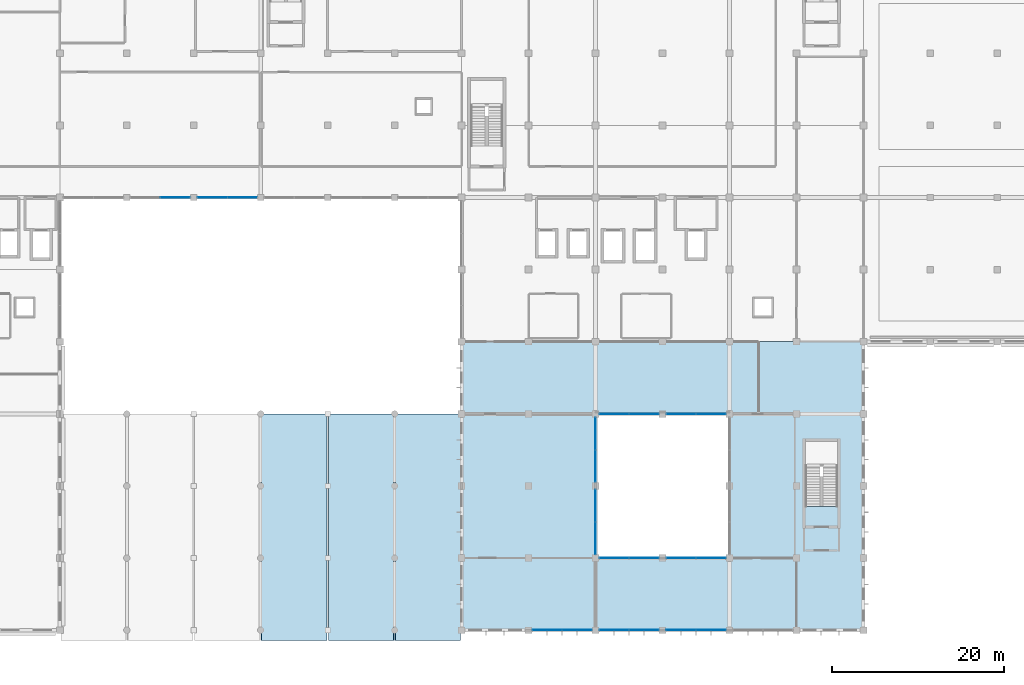
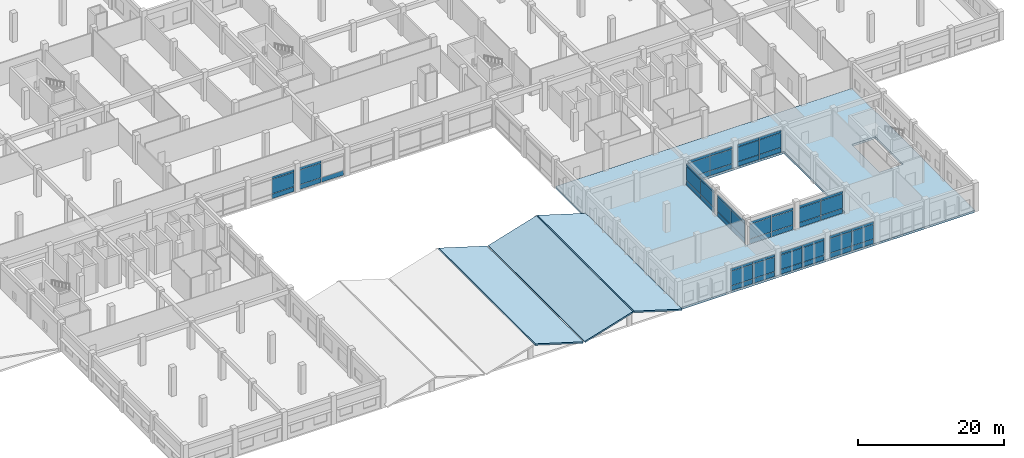
# One storey, part 36 of 62: 61 plates, 4 slabs, 11 elements without a shape of their own.
"""IFC4 building model written with IfcOpenShell, lengths in metres."""

from ifc_helpers import new_model, si_unit, direction, frame, origin, origin_2d, place, context, subcontext, project, spatial, polyline, rectangle, outline, extrude, material, layer, layer_set, type_object, element, aggregate, save


model = new_model("IFC4")

# Units and contexts
model_context = context("Model", 3, precision=1e-05, world=origin(), true_north=direction((0.0, 1.0)))
body_context = subcontext(model_context, "Body", "Model", "MODEL_VIEW")
ifc_project = project(units=[si_unit("LENGTHUNIT", "METRE"), si_unit("AREAUNIT", "SQUARE_METRE"), si_unit("VOLUMEUNIT", "CUBIC_METRE"), si_unit("PLANEANGLEUNIT", "RADIAN"), si_unit("MASSUNIT", "GRAM", prefix="KILO"), si_unit("THERMODYNAMICTEMPERATUREUNIT", "KELVIN"), si_unit("POWERUNIT", "WATT")], contexts=[model_context])

# Site, building, storey
site_placement = place(None, origin())
site = spatial("IfcSite", under=ifc_project, at=site_placement, CompositionType="ELEMENT")
building_placement = place(site_placement, origin())
building = spatial("IfcBuilding", under=site, at=building_placement, Name="Srebrne Nadtorze General Hospital", CompositionType="ELEMENT")
storey_placement = place(building_placement, frame((0.0, 0.0, 9.60009765625)))
storey = spatial("IfcBuildingStorey", under=building, at=storey_placement, Name="L02", CompositionType="ELEMENT", Elevation=9.60009765625)

# Slabs
ifc_material_1 = material(Name="Concrete C40/50", Category="concrete")
ifc_layer_1 = layer(ifc_material_1, 0.239990234375)
ifc_layer_set_1 = layer_set([ifc_layer_1], Name="Concrete C40/50")
slab_type_1 = type_object("IfcSlabType", Name="Folded plate roof slab 240", PredefinedType="ROOF", material=ifc_layer_set_1)
slab_1_placement = place(storey_placement, frame((78.110107421875, -1.199951171875, 2.96630859375), z_axis=(0.291835782192, 0.0, 0.956468439747), x_axis=(0.956468439747, 0.0, -0.291835782192)))
element("IfcSlab", 1, at=slab_1_placement, inside=storey, type_object=slab_type_1, Name="Folded plate roof slab 04", PredefinedType="ROOF", context=body_context, shape_type="SweptSolid", body=[
    extrude(outline(polyline([(0.0, 0.0), (7.924813479866985, 0.0), (7.924813479866985, 26.39990234375), (0.0, 26.39990234375), (0.0, 0.0)])), origin(), (0.0, 0.0, -1.0), 0.239990234375),
])
for number, where, z_axis, x_axis, name in (
    (2, (85.909912109375, -1.199951171875, 0.653564453125), (-0.291827183192, 0.0, 0.956471063415), (0.956471063415, 0.0, 0.291827183192), "Folded plate roof slab 05"),
    (3, (93.7099609375, -1.199951171875, 2.96630859375), (0.291827183192, 0.0, 0.956471063415), (0.956471063415, 0.0, -0.291827183192), "Folded plate roof slab 06"),
):
    element("IfcSlab", number, at=place(storey_placement, frame(where, z_axis=z_axis, x_axis=x_axis)), inside=storey, type_object=slab_type_1, Name=name, PredefinedType="ROOF", context=body_context, shape_type="SweptSolid", body=[
        extrude(outline(polyline([(0.0, 0.0), (7.925046992989934, 0.0), (7.925046992989934, 26.39990234375), (0.0, 26.39990234375), (0.0, 0.0)])), origin(), (0.0, 0.0, -1.0), 0.239990234375),
    ])

# Curtain wall, plates
ifc_material_2 = material(Name="Anodised Aluminium", Category="aluminium")
curtain_wall_type_1 = type_object("IfcCurtainWallType", Name="Unitised curtain wall 7000x3800", PredefinedType="NOTDEFINED", material=ifc_material_2)
curtain_wall_1_placement = place(storey_placement, origin())
curtain_wall_1 = element("IfcCurtainWall", 4, at=curtain_wall_1_placement, inside=storey, type_object=curtain_wall_type_1, Name="Curtain wall CW-068", PredefinedType="NOTDEFINED")
ifc_material_3 = material(Name="Triple Low-E Glazing", Category="glass")
ifc_layer_2 = layer(ifc_material_3, 0.050048828125)
ifc_layer_set_2 = layer_set([ifc_layer_2], Name="Triple Low-E Glazing")
plate_type = type_object("IfcPlateType", Name="Glazed curtain panel 50", PredefinedType="CURTAIN_PANEL", material=ifc_layer_set_2)
plate_1_placement = place(storey_placement, frame((111.364990234375, 0.0, 0.06005859375), z_axis=(0.0, 0.0, 1.0), x_axis=(1.0, 0.0, 0.0)))
plate_1 = element("IfcPlate", 5, at=plate_1_placement, type_object=plate_type, Name="CW-068 panel 1.1", PredefinedType="CURTAIN_PANEL", context=body_context, shape_type="SweptSolid", body=[
    extrude(rectangle(XDim=3.409912109375, YDim=0.050048828125, at=origin_2d()), origin(), (0.0, 0.0, 1.0), 0.760009765625),
])
plate_2_placement = place(storey_placement, frame((111.364990234375, 0.0, 0.8798828125), z_axis=(0.0, 0.0, 1.0), x_axis=(1.0, 0.0, 0.0)))
plate_2 = element("IfcPlate", 6, at=plate_2_placement, type_object=plate_type, Name="CW-068 panel 1.2", PredefinedType="CURTAIN_PANEL", context=body_context, shape_type="SweptSolid", body=[
    extrude(rectangle(XDim=3.409912109375, YDim=0.050048828125, at=origin_2d()), origin(), (0.0, 0.0, 1.0), 2.389892578125),
])
plate_3_placement = place(storey_placement, frame((111.364990234375, 0.0, 3.330078125), z_axis=(0.0, 0.0, 1.0), x_axis=(1.0, 0.0, 0.0)))
plate_3 = element("IfcPlate", 7, at=plate_3_placement, type_object=plate_type, Name="CW-068 panel 1.3", PredefinedType="CURTAIN_PANEL", context=body_context, shape_type="SweptSolid", body=[
    extrude(rectangle(XDim=3.409912109375, YDim=0.050048828125, at=origin_2d()), origin(), (0.0, 0.0, 1.0), 0.409912109375),
])
plate_4_placement = place(storey_placement, frame((114.8349609375, 0.0, 0.06005859375), z_axis=(0.0, 0.0, 1.0), x_axis=(1.0, 0.0, 0.0)))
plate_4 = element("IfcPlate", 8, at=plate_4_placement, type_object=plate_type, Name="CW-068 panel 2.1", PredefinedType="CURTAIN_PANEL", context=body_context, shape_type="SweptSolid", body=[
    extrude(rectangle(XDim=3.409912109375, YDim=0.050048828125, at=origin_2d()), origin(), (0.0, 0.0, 1.0), 0.760009765625),
])
plate_5_placement = place(storey_placement, frame((114.8349609375, 0.0, 0.8798828125), z_axis=(0.0, 0.0, 1.0), x_axis=(1.0, 0.0, 0.0)))
plate_5 = element("IfcPlate", 9, at=plate_5_placement, type_object=plate_type, Name="CW-068 panel 2.2", PredefinedType="CURTAIN_PANEL", context=body_context, shape_type="SweptSolid", body=[
    extrude(rectangle(XDim=3.409912109375, YDim=0.050048828125, at=origin_2d()), origin(), (0.0, 0.0, 1.0), 2.389892578125),
])
plate_6_placement = place(storey_placement, frame((114.8349609375, 0.0, 3.330078125), z_axis=(0.0, 0.0, 1.0), x_axis=(1.0, 0.0, 0.0)))
plate_6 = element("IfcPlate", 10, at=plate_6_placement, type_object=plate_type, Name="CW-068 panel 2.3", PredefinedType="CURTAIN_PANEL", context=body_context, shape_type="SweptSolid", body=[
    extrude(rectangle(XDim=3.409912109375, YDim=0.050048828125, at=origin_2d()), origin(), (0.0, 0.0, 1.0), 0.409912109375),
])
aggregate(curtain_wall_1, [plate_1, plate_2, plate_3, plate_4, plate_5, plate_6])

curtain_wall_2_placement = place(storey_placement, origin())
curtain_wall_2 = element("IfcCurtainWall", 11, at=curtain_wall_2_placement, inside=storey, type_object=curtain_wall_type_1, Name="Curtain wall CW-069", PredefinedType="NOTDEFINED")
plate_7_placement = place(storey_placement, frame((119.166259765625, 0.0, 0.06494140625), z_axis=(0.0, 0.0, 1.0), x_axis=(1.0, 0.0, 0.0)))
plate_7 = element("IfcPlate", 12, at=plate_7_placement, type_object=plate_type, Name="CW-069 panel 1.1", PredefinedType="CURTAIN_PANEL", context=body_context, shape_type="SweptSolid", body=[
    extrude(rectangle(XDim=3.402587890625, YDim=0.050048828125, at=origin_2d()), origin(), (0.0, 0.0, 1.0), 0.75244140625),
])
plate_8_placement = place(storey_placement, frame((119.166259765625, 0.0, 0.88232421875), z_axis=(0.0, 0.0, 1.0), x_axis=(1.0, 0.0, 0.0)))
plate_8 = element("IfcPlate", 13, at=plate_8_placement, type_object=plate_type, Name="CW-069 panel 1.2", PredefinedType="CURTAIN_PANEL", context=body_context, shape_type="SweptSolid", body=[
    extrude(rectangle(XDim=3.402587890625, YDim=0.050048828125, at=origin_2d()), origin(), (0.0, 0.0, 1.0), 2.385009765625),
])
plate_9_placement = place(storey_placement, frame((119.166259765625, 0.0, 3.33251953125), z_axis=(0.0, 0.0, 1.0), x_axis=(1.0, 0.0, 0.0)))
plate_9 = element("IfcPlate", 14, at=plate_9_placement, type_object=plate_type, Name="CW-069 panel 1.3", PredefinedType="CURTAIN_PANEL", context=body_context, shape_type="SweptSolid", body=[
    extrude(rectangle(XDim=3.402587890625, YDim=0.050048828125, at=origin_2d()), origin(), (0.0, 0.0, 1.0), 0.402587890625),
])
plate_10_placement = place(storey_placement, frame((122.6337890625, 0.0, 0.06494140625), z_axis=(0.0, 0.0, 1.0), x_axis=(1.0, 0.0, 0.0)))
plate_10 = element("IfcPlate", 15, at=plate_10_placement, type_object=plate_type, Name="CW-069 panel 2.1", PredefinedType="CURTAIN_PANEL", context=body_context, shape_type="SweptSolid", body=[
    extrude(rectangle(XDim=3.402587890625, YDim=0.050048828125, at=origin_2d()), origin(), (0.0, 0.0, 1.0), 0.75244140625),
])
plate_11_placement = place(storey_placement, frame((122.6337890625, 0.0, 0.88232421875), z_axis=(0.0, 0.0, 1.0), x_axis=(1.0, 0.0, 0.0)))
plate_11 = element("IfcPlate", 16, at=plate_11_placement, type_object=plate_type, Name="CW-069 panel 2.2", PredefinedType="CURTAIN_PANEL", context=body_context, shape_type="SweptSolid", body=[
    extrude(rectangle(XDim=3.402587890625, YDim=0.050048828125, at=origin_2d()), origin(), (0.0, 0.0, 1.0), 2.385009765625),
])
plate_12_placement = place(storey_placement, frame((122.6337890625, 0.0, 3.33251953125), z_axis=(0.0, 0.0, 1.0), x_axis=(1.0, 0.0, 0.0)))
plate_12 = element("IfcPlate", 17, at=plate_12_placement, type_object=plate_type, Name="CW-069 panel 2.3", PredefinedType="CURTAIN_PANEL", context=body_context, shape_type="SweptSolid", body=[
    extrude(rectangle(XDim=3.402587890625, YDim=0.050048828125, at=origin_2d()), origin(), (0.0, 0.0, 1.0), 0.402587890625),
])
aggregate(curtain_wall_2, [plate_7, plate_8, plate_9, plate_10, plate_11, plate_12])

curtain_wall_3_placement = place(storey_placement, origin())
curtain_wall_3 = element("IfcCurtainWall", 18, at=curtain_wall_3_placement, inside=storey, type_object=curtain_wall_type_1, Name="Curtain wall CW-070", PredefinedType="NOTDEFINED")
plate_13_placement = place(storey_placement, frame((126.965087890625, 0.0, 0.06005859375), z_axis=(0.0, 0.0, 1.0), x_axis=(1.0, 0.0, 0.0)))
plate_13 = element("IfcPlate", 19, at=plate_13_placement, type_object=plate_type, Name="CW-070 panel 1.1", PredefinedType="CURTAIN_PANEL", context=body_context, shape_type="SweptSolid", body=[
    extrude(rectangle(XDim=3.409912109375, YDim=0.050048828125, at=origin_2d()), origin(), (0.0, 0.0, 1.0), 0.760009765625),
])
plate_14_placement = place(storey_placement, frame((126.965087890625, 0.0, 0.8798828125), z_axis=(0.0, 0.0, 1.0), x_axis=(1.0, 0.0, 0.0)))
plate_14 = element("IfcPlate", 20, at=plate_14_placement, type_object=plate_type, Name="CW-070 panel 1.2", PredefinedType="CURTAIN_PANEL", context=body_context, shape_type="SweptSolid", body=[
    extrude(rectangle(XDim=3.409912109375, YDim=0.050048828125, at=origin_2d()), origin(), (0.0, 0.0, 1.0), 2.389892578125),
])
plate_15_placement = place(storey_placement, frame((126.965087890625, 0.0, 3.330078125), z_axis=(0.0, 0.0, 1.0), x_axis=(1.0, 0.0, 0.0)))
plate_15 = element("IfcPlate", 21, at=plate_15_placement, type_object=plate_type, Name="CW-070 panel 1.3", PredefinedType="CURTAIN_PANEL", context=body_context, shape_type="SweptSolid", body=[
    extrude(rectangle(XDim=3.409912109375, YDim=0.050048828125, at=origin_2d()), origin(), (0.0, 0.0, 1.0), 0.409912109375),
])
plate_16_placement = place(storey_placement, frame((130.43505859375, 0.0, 0.06005859375), z_axis=(0.0, 0.0, 1.0), x_axis=(1.0, 0.0, 0.0)))
plate_16 = element("IfcPlate", 22, at=plate_16_placement, type_object=plate_type, Name="CW-070 panel 2.1", PredefinedType="CURTAIN_PANEL", context=body_context, shape_type="SweptSolid", body=[
    extrude(rectangle(XDim=3.409912109375, YDim=0.050048828125, at=origin_2d()), origin(), (0.0, 0.0, 1.0), 0.760009765625),
])
plate_17_placement = place(storey_placement, frame((130.43505859375, 0.0, 0.8798828125), z_axis=(0.0, 0.0, 1.0), x_axis=(1.0, 0.0, 0.0)))
plate_17 = element("IfcPlate", 23, at=plate_17_placement, type_object=plate_type, Name="CW-070 panel 2.2", PredefinedType="CURTAIN_PANEL", context=body_context, shape_type="SweptSolid", body=[
    extrude(rectangle(XDim=3.409912109375, YDim=0.050048828125, at=origin_2d()), origin(), (0.0, 0.0, 1.0), 2.389892578125),
])
plate_18_placement = place(storey_placement, frame((130.43505859375, 0.0, 3.330078125), z_axis=(0.0, 0.0, 1.0), x_axis=(1.0, 0.0, 0.0)))
plate_18 = element("IfcPlate", 24, at=plate_18_placement, type_object=plate_type, Name="CW-070 panel 2.3", PredefinedType="CURTAIN_PANEL", context=body_context, shape_type="SweptSolid", body=[
    extrude(rectangle(XDim=3.409912109375, YDim=0.050048828125, at=origin_2d()), origin(), (0.0, 0.0, 1.0), 0.409912109375),
])
aggregate(curtain_wall_3, [plate_13, plate_14, plate_15, plate_16, plate_17, plate_18])

curtain_wall_4_placement = place(storey_placement, origin())
curtain_wall_4 = element("IfcCurtainWall", 25, at=curtain_wall_4_placement, inside=storey, type_object=curtain_wall_type_1, Name="Curtain wall CW-072", PredefinedType="NOTDEFINED")
plate_19_placement = place(storey_placement, frame((119.1650390625, 8.39990234375, 0.06005859375), z_axis=(0.0, 0.0, 1.0), x_axis=(1.0, 0.0, 0.0)))
plate_19 = element("IfcPlate", 26, at=plate_19_placement, type_object=plate_type, Name="CW-072 panel 1.1", PredefinedType="CURTAIN_PANEL", context=body_context, shape_type="SweptSolid", body=[
    extrude(rectangle(XDim=3.409912109375, YDim=0.050048828125, at=origin_2d()), origin(), (0.0, 0.0, 1.0), 0.760009765625),
])
plate_20_placement = place(storey_placement, frame((119.1650390625, 8.39990234375, 0.8798828125), z_axis=(0.0, 0.0, 1.0), x_axis=(1.0, 0.0, 0.0)))
plate_20 = element("IfcPlate", 27, at=plate_20_placement, type_object=plate_type, Name="CW-072 panel 1.2", PredefinedType="CURTAIN_PANEL", context=body_context, shape_type="SweptSolid", body=[
    extrude(rectangle(XDim=3.409912109375, YDim=0.050048828125, at=origin_2d()), origin(), (0.0, 0.0, 1.0), 2.389892578125),
])
plate_21_placement = place(storey_placement, frame((119.1650390625, 8.39990234375, 3.330078125), z_axis=(0.0, 0.0, 1.0), x_axis=(1.0, 0.0, 0.0)))
plate_21 = element("IfcPlate", 28, at=plate_21_placement, type_object=plate_type, Name="CW-072 panel 1.3", PredefinedType="CURTAIN_PANEL", context=body_context, shape_type="SweptSolid", body=[
    extrude(rectangle(XDim=3.409912109375, YDim=0.050048828125, at=origin_2d()), origin(), (0.0, 0.0, 1.0), 0.409912109375),
])
plate_22_placement = place(storey_placement, frame((122.635009765625, 8.39990234375, 0.06005859375), z_axis=(0.0, 0.0, 1.0), x_axis=(1.0, 0.0, 0.0)))
plate_22 = element("IfcPlate", 29, at=plate_22_placement, type_object=plate_type, Name="CW-072 panel 2.1", PredefinedType="CURTAIN_PANEL", context=body_context, shape_type="SweptSolid", body=[
    extrude(rectangle(XDim=3.409912109375, YDim=0.050048828125, at=origin_2d()), origin(), (0.0, 0.0, 1.0), 0.760009765625),
])
plate_23_placement = place(storey_placement, frame((122.635009765625, 8.39990234375, 0.8798828125), z_axis=(0.0, 0.0, 1.0), x_axis=(1.0, 0.0, 0.0)))
plate_23 = element("IfcPlate", 30, at=plate_23_placement, type_object=plate_type, Name="CW-072 panel 2.2", PredefinedType="CURTAIN_PANEL", context=body_context, shape_type="SweptSolid", body=[
    extrude(rectangle(XDim=3.409912109375, YDim=0.050048828125, at=origin_2d()), origin(), (0.0, 0.0, 1.0), 2.389892578125),
])
plate_24_placement = place(storey_placement, frame((122.635009765625, 8.39990234375, 3.330078125), z_axis=(0.0, 0.0, 1.0), x_axis=(1.0, 0.0, 0.0)))
plate_24 = element("IfcPlate", 31, at=plate_24_placement, type_object=plate_type, Name="CW-072 panel 2.3", PredefinedType="CURTAIN_PANEL", context=body_context, shape_type="SweptSolid", body=[
    extrude(rectangle(XDim=3.409912109375, YDim=0.050048828125, at=origin_2d()), origin(), (0.0, 0.0, 1.0), 0.409912109375),
])
aggregate(curtain_wall_4, [plate_19, plate_20, plate_21, plate_22, plate_23, plate_24])

curtain_wall_5_placement = place(storey_placement, origin())
curtain_wall_5 = element("IfcCurtainWall", 32, at=curtain_wall_5_placement, inside=storey, type_object=curtain_wall_type_1, Name="Curtain wall CW-073", PredefinedType="NOTDEFINED")
plate_25_placement = place(storey_placement, frame((126.96630859375, 8.39990234375, 0.06494140625), z_axis=(0.0, 0.0, 1.0), x_axis=(1.0, 0.0, 0.0)))
plate_25 = element("IfcPlate", 33, at=plate_25_placement, type_object=plate_type, Name="CW-073 panel 1.1", PredefinedType="CURTAIN_PANEL", context=body_context, shape_type="SweptSolid", body=[
    extrude(rectangle(XDim=3.402587890625, YDim=0.050048828125, at=origin_2d()), origin(), (0.0, 0.0, 1.0), 0.75244140625),
])
plate_26_placement = place(storey_placement, frame((126.96630859375, 8.39990234375, 0.88232421875), z_axis=(0.0, 0.0, 1.0), x_axis=(1.0, 0.0, 0.0)))
plate_26 = element("IfcPlate", 34, at=plate_26_placement, type_object=plate_type, Name="CW-073 panel 1.2", PredefinedType="CURTAIN_PANEL", context=body_context, shape_type="SweptSolid", body=[
    extrude(rectangle(XDim=3.402587890625, YDim=0.050048828125, at=origin_2d()), origin(), (0.0, 0.0, 1.0), 2.385009765625),
])
plate_27_placement = place(storey_placement, frame((126.96630859375, 8.39990234375, 3.33251953125), z_axis=(0.0, 0.0, 1.0), x_axis=(1.0, 0.0, 0.0)))
plate_27 = element("IfcPlate", 35, at=plate_27_placement, type_object=plate_type, Name="CW-073 panel 1.3", PredefinedType="CURTAIN_PANEL", context=body_context, shape_type="SweptSolid", body=[
    extrude(rectangle(XDim=3.402587890625, YDim=0.050048828125, at=origin_2d()), origin(), (0.0, 0.0, 1.0), 0.402587890625),
])
plate_28_placement = place(storey_placement, frame((130.433837890625, 8.39990234375, 0.06494140625), z_axis=(0.0, 0.0, 1.0), x_axis=(1.0, 0.0, 0.0)))
plate_28 = element("IfcPlate", 36, at=plate_28_placement, type_object=plate_type, Name="CW-073 panel 2.1", PredefinedType="CURTAIN_PANEL", context=body_context, shape_type="SweptSolid", body=[
    extrude(rectangle(XDim=3.402587890625, YDim=0.050048828125, at=origin_2d()), origin(), (0.0, 0.0, 1.0), 0.75244140625),
])
plate_29_placement = place(storey_placement, frame((130.433837890625, 8.39990234375, 0.88232421875), z_axis=(0.0, 0.0, 1.0), x_axis=(1.0, 0.0, 0.0)))
plate_29 = element("IfcPlate", 37, at=plate_29_placement, type_object=plate_type, Name="CW-073 panel 2.2", PredefinedType="CURTAIN_PANEL", context=body_context, shape_type="SweptSolid", body=[
    extrude(rectangle(XDim=3.402587890625, YDim=0.050048828125, at=origin_2d()), origin(), (0.0, 0.0, 1.0), 2.385009765625),
])
plate_30_placement = place(storey_placement, frame((130.433837890625, 8.39990234375, 3.33251953125), z_axis=(0.0, 0.0, 1.0), x_axis=(1.0, 0.0, 0.0)))
plate_30 = element("IfcPlate", 38, at=plate_30_placement, type_object=plate_type, Name="CW-073 panel 2.3", PredefinedType="CURTAIN_PANEL", context=body_context, shape_type="SweptSolid", body=[
    extrude(rectangle(XDim=3.402587890625, YDim=0.050048828125, at=origin_2d()), origin(), (0.0, 0.0, 1.0), 0.402587890625),
])
aggregate(curtain_wall_5, [plate_25, plate_26, plate_27, plate_28, plate_29, plate_30])

curtain_wall_6_placement = place(storey_placement, origin())
curtain_wall_6 = element("IfcCurtainWall", 39, at=curtain_wall_6_placement, inside=storey, type_object=curtain_wall_type_1, Name="Curtain wall CW-074", PredefinedType="NOTDEFINED")
plate_31_placement = place(storey_placement, frame((119.1650390625, 25.199951171875, 0.06005859375), z_axis=(0.0, 0.0, 1.0), x_axis=(1.0, 0.0, 0.0)))
plate_31 = element("IfcPlate", 40, at=plate_31_placement, type_object=plate_type, Name="CW-074 panel 1.1", PredefinedType="CURTAIN_PANEL", context=body_context, shape_type="SweptSolid", body=[
    extrude(rectangle(XDim=3.409912109375, YDim=0.050048828125, at=origin_2d()), origin(), (0.0, 0.0, 1.0), 0.760009765625),
])
plate_32_placement = place(storey_placement, frame((119.1650390625, 25.199951171875, 0.8798828125), z_axis=(0.0, 0.0, 1.0), x_axis=(1.0, 0.0, 0.0)))
plate_32 = element("IfcPlate", 41, at=plate_32_placement, type_object=plate_type, Name="CW-074 panel 1.2", PredefinedType="CURTAIN_PANEL", context=body_context, shape_type="SweptSolid", body=[
    extrude(rectangle(XDim=3.409912109375, YDim=0.050048828125, at=origin_2d()), origin(), (0.0, 0.0, 1.0), 2.389892578125),
])
plate_33_placement = place(storey_placement, frame((119.1650390625, 25.199951171875, 3.330078125), z_axis=(0.0, 0.0, 1.0), x_axis=(1.0, 0.0, 0.0)))
plate_33 = element("IfcPlate", 42, at=plate_33_placement, type_object=plate_type, Name="CW-074 panel 1.3", PredefinedType="CURTAIN_PANEL", context=body_context, shape_type="SweptSolid", body=[
    extrude(rectangle(XDim=3.409912109375, YDim=0.050048828125, at=origin_2d()), origin(), (0.0, 0.0, 1.0), 0.409912109375),
])
plate_34_placement = place(storey_placement, frame((122.635009765625, 25.199951171875, 0.06005859375), z_axis=(0.0, 0.0, 1.0), x_axis=(1.0, 0.0, 0.0)))
plate_34 = element("IfcPlate", 43, at=plate_34_placement, type_object=plate_type, Name="CW-074 panel 2.1", PredefinedType="CURTAIN_PANEL", context=body_context, shape_type="SweptSolid", body=[
    extrude(rectangle(XDim=3.409912109375, YDim=0.050048828125, at=origin_2d()), origin(), (0.0, 0.0, 1.0), 0.760009765625),
])
plate_35_placement = place(storey_placement, frame((122.635009765625, 25.199951171875, 0.8798828125), z_axis=(0.0, 0.0, 1.0), x_axis=(1.0, 0.0, 0.0)))
plate_35 = element("IfcPlate", 44, at=plate_35_placement, type_object=plate_type, Name="CW-074 panel 2.2", PredefinedType="CURTAIN_PANEL", context=body_context, shape_type="SweptSolid", body=[
    extrude(rectangle(XDim=3.409912109375, YDim=0.050048828125, at=origin_2d()), origin(), (0.0, 0.0, 1.0), 2.389892578125),
])
plate_36_placement = place(storey_placement, frame((122.635009765625, 25.199951171875, 3.330078125), z_axis=(0.0, 0.0, 1.0), x_axis=(1.0, 0.0, 0.0)))
plate_36 = element("IfcPlate", 45, at=plate_36_placement, type_object=plate_type, Name="CW-074 panel 2.3", PredefinedType="CURTAIN_PANEL", context=body_context, shape_type="SweptSolid", body=[
    extrude(rectangle(XDim=3.409912109375, YDim=0.050048828125, at=origin_2d()), origin(), (0.0, 0.0, 1.0), 0.409912109375),
])
aggregate(curtain_wall_6, [plate_31, plate_32, plate_33, plate_34, plate_35, plate_36])

curtain_wall_7_placement = place(storey_placement, origin())
curtain_wall_7 = element("IfcCurtainWall", 46, at=curtain_wall_7_placement, inside=storey, type_object=curtain_wall_type_1, Name="Curtain wall CW-075", PredefinedType="NOTDEFINED")
plate_37_placement = place(storey_placement, frame((126.96630859375, 25.199951171875, 0.06494140625), z_axis=(0.0, 0.0, 1.0), x_axis=(1.0, 0.0, 0.0)))
plate_37 = element("IfcPlate", 47, at=plate_37_placement, type_object=plate_type, Name="CW-075 panel 1.1", PredefinedType="CURTAIN_PANEL", context=body_context, shape_type="SweptSolid", body=[
    extrude(rectangle(XDim=3.402587890625, YDim=0.050048828125, at=origin_2d()), origin(), (0.0, 0.0, 1.0), 0.75244140625),
])
plate_38_placement = place(storey_placement, frame((126.96630859375, 25.199951171875, 0.88232421875), z_axis=(0.0, 0.0, 1.0), x_axis=(1.0, 0.0, 0.0)))
plate_38 = element("IfcPlate", 48, at=plate_38_placement, type_object=plate_type, Name="CW-075 panel 1.2", PredefinedType="CURTAIN_PANEL", context=body_context, shape_type="SweptSolid", body=[
    extrude(rectangle(XDim=3.402587890625, YDim=0.050048828125, at=origin_2d()), origin(), (0.0, 0.0, 1.0), 2.385009765625),
])
plate_39_placement = place(storey_placement, frame((126.96630859375, 25.199951171875, 3.33251953125), z_axis=(0.0, 0.0, 1.0), x_axis=(1.0, 0.0, 0.0)))
plate_39 = element("IfcPlate", 49, at=plate_39_placement, type_object=plate_type, Name="CW-075 panel 1.3", PredefinedType="CURTAIN_PANEL", context=body_context, shape_type="SweptSolid", body=[
    extrude(rectangle(XDim=3.402587890625, YDim=0.050048828125, at=origin_2d()), origin(), (0.0, 0.0, 1.0), 0.402587890625),
])
plate_40_placement = place(storey_placement, frame((130.433837890625, 25.199951171875, 0.06494140625), z_axis=(0.0, 0.0, 1.0), x_axis=(1.0, 0.0, 0.0)))
plate_40 = element("IfcPlate", 50, at=plate_40_placement, type_object=plate_type, Name="CW-075 panel 2.1", PredefinedType="CURTAIN_PANEL", context=body_context, shape_type="SweptSolid", body=[
    extrude(rectangle(XDim=3.402587890625, YDim=0.050048828125, at=origin_2d()), origin(), (0.0, 0.0, 1.0), 0.75244140625),
])
plate_41_placement = place(storey_placement, frame((130.433837890625, 25.199951171875, 0.88232421875), z_axis=(0.0, 0.0, 1.0), x_axis=(1.0, 0.0, 0.0)))
plate_41 = element("IfcPlate", 51, at=plate_41_placement, type_object=plate_type, Name="CW-075 panel 2.2", PredefinedType="CURTAIN_PANEL", context=body_context, shape_type="SweptSolid", body=[
    extrude(rectangle(XDim=3.402587890625, YDim=0.050048828125, at=origin_2d()), origin(), (0.0, 0.0, 1.0), 2.385009765625),
])
plate_42_placement = place(storey_placement, frame((130.433837890625, 25.199951171875, 3.33251953125), z_axis=(0.0, 0.0, 1.0), x_axis=(1.0, 0.0, 0.0)))
plate_42 = element("IfcPlate", 52, at=plate_42_placement, type_object=plate_type, Name="CW-075 panel 2.3", PredefinedType="CURTAIN_PANEL", context=body_context, shape_type="SweptSolid", body=[
    extrude(rectangle(XDim=3.402587890625, YDim=0.050048828125, at=origin_2d()), origin(), (0.0, 0.0, 1.0), 0.402587890625),
])
aggregate(curtain_wall_7, [plate_37, plate_38, plate_39, plate_40, plate_41, plate_42])

ifc_material_4 = material(Name="Anodised Aluminium", Category="aluminium")
curtain_wall_type_2 = type_object("IfcCurtainWallType", Name="Unitised curtain wall 7050x3800", PredefinedType="NOTDEFINED", material=ifc_material_4)
curtain_wall_8_placement = place(storey_placement, origin())
curtain_wall_8 = element("IfcCurtainWall", 53, at=curtain_wall_8_placement, inside=storey, type_object=curtain_wall_type_2, Name="Curtain wall CW-077", PredefinedType="NOTDEFINED")
plate_43_placement = place(storey_placement, frame((68.046142578125, 50.39990234375, 0.06494140625), z_axis=(0.0, 0.0, 1.0), x_axis=(1.0, 0.0, 0.0)))
plate_43 = element("IfcPlate", 54, at=plate_43_placement, type_object=plate_type, Name="CW-077 panel 2.1", PredefinedType="CURTAIN_PANEL", context=body_context, shape_type="SweptSolid", body=[
    extrude(rectangle(XDim=3.427490234375, YDim=0.050048828125, at=origin_2d()), origin(), (0.0, 0.0, 1.0), 0.75244140625),
])
plate_44_placement = place(storey_placement, frame((68.046142578125, 50.39990234375, 0.88232421875), z_axis=(0.0, 0.0, 1.0), x_axis=(1.0, 0.0, 0.0)))
plate_44 = element("IfcPlate", 55, at=plate_44_placement, type_object=plate_type, Name="CW-077 panel 2.2", PredefinedType="CURTAIN_PANEL", context=body_context, shape_type="SweptSolid", body=[
    extrude(rectangle(XDim=3.427490234375, YDim=0.050048828125, at=origin_2d()), origin(), (0.0, 0.0, 1.0), 2.385009765625),
])
plate_45_placement = place(storey_placement, frame((68.046142578125, 50.39990234375, 3.33251953125), z_axis=(0.0, 0.0, 1.0), x_axis=(1.0, 0.0, 0.0)))
plate_45 = element("IfcPlate", 56, at=plate_45_placement, type_object=plate_type, Name="CW-077 panel 2.3", PredefinedType="CURTAIN_PANEL", context=body_context, shape_type="SweptSolid", body=[
    extrude(rectangle(XDim=3.427490234375, YDim=0.050048828125, at=origin_2d()), origin(), (0.0, 0.0, 1.0), 0.402587890625),
])
aggregate(curtain_wall_8, [plate_43, plate_44, plate_45])

curtain_wall_9_placement = place(storey_placement, origin())
curtain_wall_9 = element("IfcCurtainWall", 57, at=curtain_wall_9_placement, inside=storey, type_object=curtain_wall_type_2, Name="Curtain wall CW-078", PredefinedType="NOTDEFINED")
plate_46_placement = place(storey_placement, frame((72.3525390625, 50.39990234375, 0.06005859375), z_axis=(0.0, 0.0, 1.0), x_axis=(1.0, 0.0, 0.0)))
plate_46 = element("IfcPlate", 58, at=plate_46_placement, type_object=plate_type, Name="CW-078 panel 1.1", PredefinedType="CURTAIN_PANEL", context=body_context, shape_type="SweptSolid", body=[
    extrude(rectangle(XDim=3.43505859375, YDim=0.050048828125, at=origin_2d()), origin(), (0.0, 0.0, 1.0), 0.760009765625),
])
plate_47_placement = place(storey_placement, frame((72.3525390625, 50.39990234375, 0.8798828125), z_axis=(0.0, 0.0, 1.0), x_axis=(1.0, 0.0, 0.0)))
plate_47 = element("IfcPlate", 59, at=plate_47_placement, type_object=plate_type, Name="CW-078 panel 1.2", PredefinedType="CURTAIN_PANEL", context=body_context, shape_type="SweptSolid", body=[
    extrude(rectangle(XDim=3.43505859375, YDim=0.050048828125, at=origin_2d()), origin(), (0.0, 0.0, 1.0), 2.389892578125),
])
plate_48_placement = place(storey_placement, frame((72.3525390625, 50.39990234375, 3.330078125), z_axis=(0.0, 0.0, 1.0), x_axis=(1.0, 0.0, 0.0)))
plate_48 = element("IfcPlate", 60, at=plate_48_placement, type_object=plate_type, Name="CW-078 panel 1.3", PredefinedType="CURTAIN_PANEL", context=body_context, shape_type="SweptSolid", body=[
    extrude(rectangle(XDim=3.43505859375, YDim=0.050048828125, at=origin_2d()), origin(), (0.0, 0.0, 1.0), 0.409912109375),
])
plate_49_placement = place(storey_placement, frame((75.847412109375, 50.39990234375, 0.06005859375), z_axis=(0.0, 0.0, 1.0), x_axis=(1.0, 0.0, 0.0)))
plate_49 = element("IfcPlate", 61, at=plate_49_placement, type_object=plate_type, Name="CW-078 panel 2.1", PredefinedType="CURTAIN_PANEL", context=body_context, shape_type="SweptSolid", body=[
    extrude(rectangle(XDim=3.43505859375, YDim=0.050048828125, at=origin_2d()), origin(), (0.0, 0.0, 1.0), 0.760009765625),
])
aggregate(curtain_wall_9, [plate_46, plate_47, plate_48, plate_49])

ifc_material_5 = material(Name="Anodised Aluminium", Category="aluminium")
curtain_wall_type_3 = type_object("IfcCurtainWallType", Name="Unitised curtain wall 7600x3800", PredefinedType="NOTDEFINED", material=ifc_material_5)
curtain_wall_10_placement = place(storey_placement, origin())
curtain_wall_10 = element("IfcCurtainWall", 62, at=curtain_wall_10_placement, inside=storey, type_object=curtain_wall_type_3, Name="Curtain wall CW-086", PredefinedType="NOTDEFINED")
plate_50_placement = place(storey_placement, frame((117.0, 10.715087890625, 0.06005859375), z_axis=(0.0, 0.0, 1.0), x_axis=(0.0, 1.0, 0.0)))
plate_50 = element("IfcPlate", 63, at=plate_50_placement, type_object=plate_type, Name="CW-086 panel 1.1", PredefinedType="CURTAIN_PANEL", context=body_context, shape_type="SweptSolid", body=[
    extrude(rectangle(XDim=3.7099609375, YDim=0.050048828125, at=origin_2d()), origin(), (0.0, 0.0, 1.0), 0.760009765625),
])
plate_51_placement = place(storey_placement, frame((117.0, 10.715087890625, 0.8798828125), z_axis=(0.0, 0.0, 1.0), x_axis=(0.0, 1.0, 0.0)))
plate_51 = element("IfcPlate", 64, at=plate_51_placement, type_object=plate_type, Name="CW-086 panel 1.2", PredefinedType="CURTAIN_PANEL", context=body_context, shape_type="SweptSolid", body=[
    extrude(rectangle(XDim=3.7099609375, YDim=0.050048828125, at=origin_2d()), origin(), (0.0, 0.0, 1.0), 2.389892578125),
])
plate_52_placement = place(storey_placement, frame((117.0, 10.715087890625, 3.330078125), z_axis=(0.0, 0.0, 1.0), x_axis=(0.0, 1.0, 0.0)))
plate_52 = element("IfcPlate", 65, at=plate_52_placement, type_object=plate_type, Name="CW-086 panel 1.3", PredefinedType="CURTAIN_PANEL", context=body_context, shape_type="SweptSolid", body=[
    extrude(rectangle(XDim=3.7099609375, YDim=0.050048828125, at=origin_2d()), origin(), (0.0, 0.0, 1.0), 0.409912109375),
])
plate_53_placement = place(storey_placement, frame((117.0, 14.485107421875, 0.06005859375), z_axis=(0.0, 0.0, 1.0), x_axis=(0.0, 1.0, 0.0)))
plate_53 = element("IfcPlate", 66, at=plate_53_placement, type_object=plate_type, Name="CW-086 panel 2.1", PredefinedType="CURTAIN_PANEL", context=body_context, shape_type="SweptSolid", body=[
    extrude(rectangle(XDim=3.7099609375, YDim=0.050048828125, at=origin_2d()), origin(), (0.0, 0.0, 1.0), 0.760009765625),
])
plate_54_placement = place(storey_placement, frame((117.0, 14.485107421875, 0.8798828125), z_axis=(0.0, 0.0, 1.0), x_axis=(0.0, 1.0, 0.0)))
plate_54 = element("IfcPlate", 67, at=plate_54_placement, type_object=plate_type, Name="CW-086 panel 2.2", PredefinedType="CURTAIN_PANEL", context=body_context, shape_type="SweptSolid", body=[
    extrude(rectangle(XDim=3.7099609375, YDim=0.050048828125, at=origin_2d()), origin(), (0.0, 0.0, 1.0), 2.389892578125),
])
plate_55_placement = place(storey_placement, frame((117.0, 14.485107421875, 3.330078125), z_axis=(0.0, 0.0, 1.0), x_axis=(0.0, 1.0, 0.0)))
plate_55 = element("IfcPlate", 68, at=plate_55_placement, type_object=plate_type, Name="CW-086 panel 2.3", PredefinedType="CURTAIN_PANEL", context=body_context, shape_type="SweptSolid", body=[
    extrude(rectangle(XDim=3.7099609375, YDim=0.050048828125, at=origin_2d()), origin(), (0.0, 0.0, 1.0), 0.409912109375),
])
aggregate(curtain_wall_10, [plate_50, plate_51, plate_52, plate_53, plate_54, plate_55])

curtain_wall_11_placement = place(storey_placement, origin())
curtain_wall_11 = element("IfcCurtainWall", 69, at=curtain_wall_11_placement, inside=storey, type_object=curtain_wall_type_3, Name="Curtain wall CW-087", PredefinedType="NOTDEFINED")
plate_56_placement = place(storey_placement, frame((117.0, 19.1162109375, 0.06494140625), z_axis=(0.0, 0.0, 1.0), x_axis=(0.0, 1.0, 0.0)))
plate_56 = element("IfcPlate", 70, at=plate_56_placement, type_object=plate_type, Name="CW-087 panel 1.1", PredefinedType="CURTAIN_PANEL", context=body_context, shape_type="SweptSolid", body=[
    extrude(rectangle(XDim=3.702392578125, YDim=0.050048828125, at=origin_2d()), origin(), (0.0, 0.0, 1.0), 0.75244140625),
])
plate_57_placement = place(storey_placement, frame((117.0, 19.1162109375, 0.88232421875), z_axis=(0.0, 0.0, 1.0), x_axis=(0.0, 1.0, 0.0)))
plate_57 = element("IfcPlate", 71, at=plate_57_placement, type_object=plate_type, Name="CW-087 panel 1.2", PredefinedType="CURTAIN_PANEL", context=body_context, shape_type="SweptSolid", body=[
    extrude(rectangle(XDim=3.702392578125, YDim=0.050048828125, at=origin_2d()), origin(), (0.0, 0.0, 1.0), 2.385009765625),
])
plate_58_placement = place(storey_placement, frame((117.0, 19.1162109375, 3.33251953125), z_axis=(0.0, 0.0, 1.0), x_axis=(0.0, 1.0, 0.0)))
plate_58 = element("IfcPlate", 72, at=plate_58_placement, type_object=plate_type, Name="CW-087 panel 1.3", PredefinedType="CURTAIN_PANEL", context=body_context, shape_type="SweptSolid", body=[
    extrude(rectangle(XDim=3.702392578125, YDim=0.050048828125, at=origin_2d()), origin(), (0.0, 0.0, 1.0), 0.402587890625),
])
plate_59_placement = place(storey_placement, frame((117.0, 22.8837890625, 0.06494140625), z_axis=(0.0, 0.0, 1.0), x_axis=(0.0, 1.0, 0.0)))
plate_59 = element("IfcPlate", 73, at=plate_59_placement, type_object=plate_type, Name="CW-087 panel 2.1", PredefinedType="CURTAIN_PANEL", context=body_context, shape_type="SweptSolid", body=[
    extrude(rectangle(XDim=3.702392578125, YDim=0.050048828125, at=origin_2d()), origin(), (0.0, 0.0, 1.0), 0.75244140625),
])
plate_60_placement = place(storey_placement, frame((117.0, 22.8837890625, 0.88232421875), z_axis=(0.0, 0.0, 1.0), x_axis=(0.0, 1.0, 0.0)))
plate_60 = element("IfcPlate", 74, at=plate_60_placement, type_object=plate_type, Name="CW-087 panel 2.2", PredefinedType="CURTAIN_PANEL", context=body_context, shape_type="SweptSolid", body=[
    extrude(rectangle(XDim=3.702392578125, YDim=0.050048828125, at=origin_2d()), origin(), (0.0, 0.0, 1.0), 2.385009765625),
])
plate_61_placement = place(storey_placement, frame((117.0, 22.8837890625, 3.33251953125), z_axis=(0.0, 0.0, 1.0), x_axis=(0.0, 1.0, 0.0)))
plate_61 = element("IfcPlate", 75, at=plate_61_placement, type_object=plate_type, Name="CW-087 panel 2.3", PredefinedType="CURTAIN_PANEL", context=body_context, shape_type="SweptSolid", body=[
    extrude(rectangle(XDim=3.702392578125, YDim=0.050048828125, at=origin_2d()), origin(), (0.0, 0.0, 1.0), 0.402587890625),
])
aggregate(curtain_wall_11, [plate_56, plate_57, plate_58, plate_59, plate_60, plate_61])

# Slab
ifc_material_6 = material(Name="Concrete C35/45", Category="concrete")
ifc_layer_3 = layer(ifc_material_6, 0.35009765625)
ifc_layer_set_3 = layer_set([ifc_layer_3], Name="Concrete C35/45")
slab_type_2 = type_object("IfcSlabType", Name="Suspended floor slab 350", PredefinedType="FLOOR", material=ifc_layer_set_3)
slab_2_placement = place(storey_placement, frame((0.0, 0.0, -0.35009765625)))
element("IfcSlab", 76, at=slab_2_placement, inside=storey, type_object=slab_type_2, Name="Suspended floor slab SL-L02-CLI", PredefinedType="FLOOR", context=body_context, shape_type="SweptSolid", body=[
    extrude(outline(polyline([(148.199951171875, 0.0), (148.199951171875, 33.60009765625), (101.39990234375, 33.60009765625), (101.39990234375, 0.0), (148.199951171875, 0.0)]), holes=[polyline([(117.0, 8.39990234375), (117.0, 25.199951171875), (132.60009765625, 25.199951171875), (132.60009765625, 8.39990234375), (117.0, 8.39990234375)]), polyline([(141.449951171875, 14.405029296875), (141.449951171875, 22.0), (145.199951171875, 22.0), (145.199951171875, 14.405029296875), (141.449951171875, 14.405029296875)])]), origin(), (0.0, 0.0, 1.0), 0.35009765625),
])

save(model, "model.ifc")
